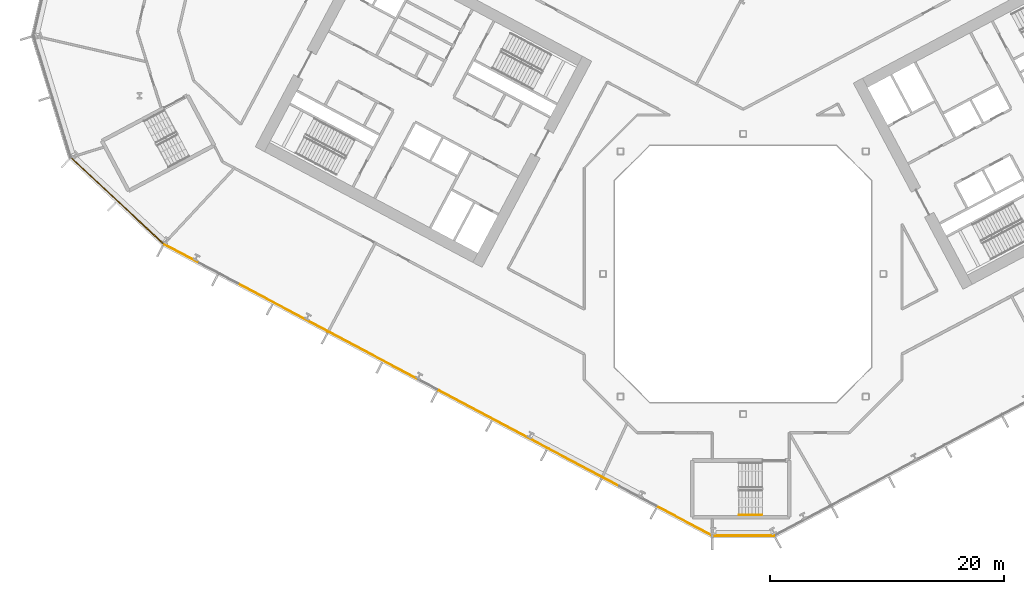
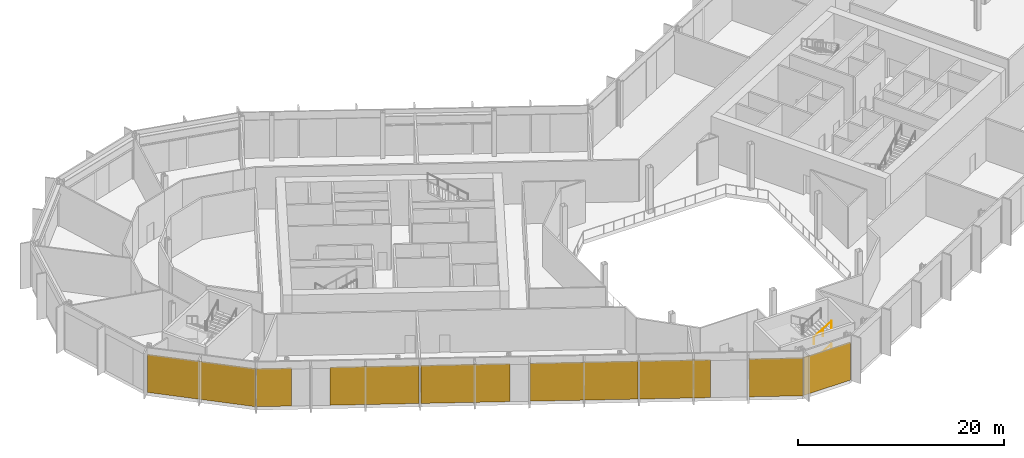
# One storey, part 19 of 30: 8 coverings, 2 railings, 3 elements without a shape of their own.
"""IFC4 building model written with IfcOpenShell, lengths in metres."""

from ifc_helpers import new_model, si_unit, direction, frame, origin, origin_2d, place, context, subcontext, project, spatial, polyline, rectangle, outline, extrude, material, layer, layer_set, type_object, element, aggregate, save


model = new_model("IFC4")

# Units and contexts
model_context = context("Model", 3, precision=1e-05, world=origin(), true_north=direction((0.0, 1.0)))
body_context = subcontext(model_context, "Body", "Model", "MODEL_VIEW")
ifc_project = project(units=[si_unit("LENGTHUNIT", "METRE"), si_unit("AREAUNIT", "SQUARE_METRE"), si_unit("VOLUMEUNIT", "CUBIC_METRE"), si_unit("PLANEANGLEUNIT", "RADIAN"), si_unit("MASSUNIT", "GRAM", prefix="KILO")], contexts=[model_context])

# Site, building, storey
site_placement = place(None, origin())
site = spatial("IfcSite", under=ifc_project, at=site_placement, CompositionType="ELEMENT")
building_placement = place(site_placement, origin())
building = spatial("IfcBuilding", under=site, at=building_placement, Name="Cormorant Relay Tower", CompositionType="ELEMENT")
storey_placement = place(building_placement, frame((0.0, 0.0, 55.39990234375)))
storey = spatial("IfcBuildingStorey", under=building, at=storey_placement, Name="L10", CompositionType="ELEMENT", Elevation=55.39990234375)

# Curtain wall, covering
ifc_material_1 = material(Name="Aluminium 6063-T6 anodised bronze", Category="aluminium")
ifc_layer_1 = layer(ifc_material_1, 0.235107421875)
ifc_layer_set_1 = layer_set([ifc_layer_1], Name="CW6 data hall curtain wall with mineral wool panels")
curtain_wall_type = type_object("IfcCurtainWallType", Name="CW6 data hall curtain wall with mineral wool panels", PredefinedType="NOTDEFINED", material=ifc_layer_set_1)
curtain_wall_1_placement = place(storey_placement, origin())
curtain_wall_1 = element("IfcCurtainWall", 1, at=curtain_wall_1_placement, inside=storey, type_object=curtain_wall_type, Name="CW6 curtain wall 1", PredefinedType="NOTDEFINED")
ifc_material_2 = material(Name="Mineral wool cored anodised bronze aluminium cassette panel", Category="aluminium")
ifc_layer_2 = layer(ifc_material_2, 0.074951171875)
ifc_layer_set_2 = layer_set([ifc_layer_2], Name="CW6 mineral wool cassette panel 75")
covering_type = type_object("IfcCoveringType", Name="CW6 mineral wool cassette panel 75", PredefinedType="CLADDING", material=ifc_layer_set_2)
covering_1_placement = place(storey_placement, frame((0.03759765625, -22.4130859375, 0.0), z_axis=(0.0, 0.0, 1.0), x_axis=(1.0, 0.0, 0.0)))
covering_1 = element("IfcCovering", 2, at=covering_1_placement, type_object=covering_type, Name="CW6 panel S00", PredefinedType="CLADDING", context=body_context, shape_type="SweptSolid", body=[
    extrude(rectangle(XDim=5.22265625, YDim=0.074951171875, at=origin_2d()), origin(), (0.0, 0.0, 1.0), 4.5),
])
aggregate(curtain_wall_1, [covering_1])

curtain_wall_2_placement = place(storey_placement, origin())
curtain_wall_2 = element("IfcCurtainWall", 3, at=curtain_wall_2_placement, inside=storey, type_object=curtain_wall_type, Name="CW6 curtain wall 13", PredefinedType="NOTDEFINED")
covering_2_placement = place(storey_placement, frame((-53.564697265625, 6.238037109375, 0.0), z_axis=(0.0, 0.0, 1.0), x_axis=(0.731353701619, -0.681998360062, 0.0)))
covering_2 = element("IfcCovering", 4, at=covering_2_placement, type_object=covering_type, Name="CW6 panel S00", PredefinedType="CLADDING", context=body_context, shape_type="SweptSolid", body=[
    extrude(rectangle(XDim=10.79541015625, YDim=0.074951171875, at=origin_2d()), origin(), (0.0, 0.0, 1.0), 4.5),
])
aggregate(curtain_wall_2, [covering_2])

# Curtain wall, coverings
curtain_wall_3_placement = place(storey_placement, origin())
curtain_wall_3 = element("IfcCurtainWall", 5, at=curtain_wall_3_placement, inside=storey, type_object=curtain_wall_type, Name="CW6 curtain wall 14", PredefinedType="NOTDEFINED")
covering_3_placement = place(storey_placement, frame((-48.056640625, 1.7255859375, 0.0), z_axis=(0.0, 0.0, 1.0), x_axis=(0.882947592859, -0.469471562786, 0.0)))
covering_3 = element("IfcCovering", 6, at=covering_3_placement, type_object=covering_type, Name="CW6 panel S00", PredefinedType="CLADDING", context=body_context, shape_type="SweptSolid", body=[
    extrude(rectangle(XDim=3.36669921875, YDim=0.074951171875, at=origin_2d()), origin(), (0.0, 0.0, 1.0), 4.5),
])
covering_4_placement = place(storey_placement, frame((-39.426025390625, -2.86328125, 0.0), z_axis=(0.0, 0.0, 1.0), x_axis=(0.882947592859, -0.469471562786, 0.0)))
covering_4 = element("IfcCovering", 7, at=covering_4_placement, type_object=covering_type, Name="CW6 panel S03", PredefinedType="CLADDING", context=body_context, shape_type="SweptSolid", body=[
    extrude(rectangle(XDim=8.68310546875, YDim=0.074951171875, at=origin_2d()), origin(), (0.0, 0.0, 1.0), 4.5),
])
covering_5_placement = place(storey_placement, frame((-31.626708984375, -7.01025390625, 0.0), z_axis=(0.0, 0.0, 1.0), x_axis=(0.882947592859, -0.469471562786, 0.0)))
covering_5 = element("IfcCovering", 8, at=covering_5_placement, type_object=covering_type, Name="CW6 panel S04", PredefinedType="CLADDING", context=body_context, shape_type="SweptSolid", body=[
    extrude(rectangle(XDim=8.68310546875, YDim=0.074951171875, at=origin_2d()), origin(), (0.0, 0.0, 1.0), 4.5),
])
covering_6_placement = place(storey_placement, frame((-21.443603515625, -12.4248046875, 0.0), z_axis=(0.0, 0.0, 1.0), x_axis=(0.882947592859, -0.469471562786, 0.0)))
covering_6 = element("IfcCovering", 9, at=covering_6_placement, type_object=covering_type, Name="CW6 panel S06", PredefinedType="CLADDING", context=body_context, shape_type="SweptSolid", body=[
    extrude(rectangle(XDim=10.483154296875, YDim=0.074951171875, at=origin_2d()), origin(), (0.0, 0.0, 1.0), 4.5),
])
covering_7_placement = place(storey_placement, frame((-13.644287109375, -16.571533203125, 0.0), z_axis=(0.0, 0.0, 1.0), x_axis=(0.882947592859, -0.469471562786, 0.0)))
covering_7 = element("IfcCovering", 10, at=covering_7_placement, type_object=covering_type, Name="CW6 panel S07", PredefinedType="CLADDING", context=body_context, shape_type="SweptSolid", body=[
    extrude(rectangle(XDim=6.88330078125, YDim=0.074951171875, at=origin_2d()), origin(), (0.0, 0.0, 1.0), 4.5),
])
covering_8_placement = place(storey_placement, frame((-4.98046875, -21.17822265625, 0.0), z_axis=(0.0, 0.0, 1.0), x_axis=(0.882947592859, -0.469471562786, 0.0)))
covering_8 = element("IfcCovering", 11, at=covering_8_placement, type_object=covering_type, Name="CW6 panel S09", PredefinedType="CLADDING", context=body_context, shape_type="SweptSolid", body=[
    extrude(rectangle(XDim=5.24169921875, YDim=0.074951171875, at=origin_2d()), origin(), (0.0, 0.0, 1.0), 4.5),
])
aggregate(curtain_wall_3, [covering_3, covering_4, covering_5, covering_6, covering_7, covering_8])

# Railings
ifc_material_3 = material(Name="Steel ASTM A572 Grade 50 (Fy 345 MPa)", Category="steel")
railing_type = type_object("IfcRailingType", Name="Stair handrail 900", PredefinedType="HANDRAIL", material=ifc_material_3)
for number, where, name in (
    (12, (-0.360107421875, -20.625, 1.518798828125), "L10 RK1 stair handrail 2"),
    (13, (-0.360107421875, -20.625, 4.21875), "L10 RK1 stair handrail 4"),
):
    element("IfcRailing", number, at=place(storey_placement, frame(where)), inside=storey, type_object=railing_type, Name=name, PredefinedType="HANDRAIL", context=body_context, shape_type="SweptSolid", body=[
        extrude(outline(polyline([(0.022216796875, 0.00927734375), (0.00927734375, 0.022216796875), (-0.00927734375, 0.022216796875), (-0.022216796875, 0.00927734375), (-0.022216796875, -0.00927734375), (-0.00927734375, -0.022216796875), (0.00927734375, -0.022216796875), (0.022216796875, -0.00927734375), (0.022216796875, 0.00927734375)])), frame((0.0, 0.0, 0.8759765625), z_axis=(0.856474724393, 0.0, 0.516188963923), x_axis=(0.0, 1.0, 0.0)), (0.0, 0.0, 1.0), 2.28857421875),
        extrude(outline(polyline([(0.019287109375, 0.008056640625), (0.008056640625, 0.019287109375), (-0.008056640625, 0.019287109375), (-0.019287109375, 0.008056640625), (-0.019287109375, -0.008056640625), (-0.008056640625, -0.019287109375), (0.008056640625, -0.019287109375), (0.019287109375, -0.008056640625), (0.019287109375, 0.008056640625)])), origin(), (0.0, 0.0, 1.0), 0.851806640625),
        extrude(outline(polyline([(0.019287109375, 0.008056640625), (0.008056640625, 0.019287109375), (-0.008056640625, 0.019287109375), (-0.019287109375, 0.008056640625), (-0.019287109375, -0.008056640625), (-0.008056640625, -0.019287109375), (0.008056640625, -0.019287109375), (0.019287109375, -0.008056640625), (0.019287109375, 0.008056640625)])), frame((0.97998046875, 0.0, 0.5908203125)), (0.0, 0.0, 1.0), 0.851806640625),
        extrude(outline(polyline([(0.019287109375, 0.008056640625), (0.008056640625, 0.019287109375), (-0.008056640625, 0.019287109375), (-0.019287109375, 0.008056640625), (-0.019287109375, -0.008056640625), (-0.008056640625, -0.019287109375), (0.008056640625, -0.019287109375), (0.019287109375, -0.008056640625), (0.019287109375, 0.008056640625)])), frame((1.960205078125, 0.0, 1.181396484375)), (0.0, 0.0, 1.0), 0.851806640625),
    ])

save(model, "model.ifc")
